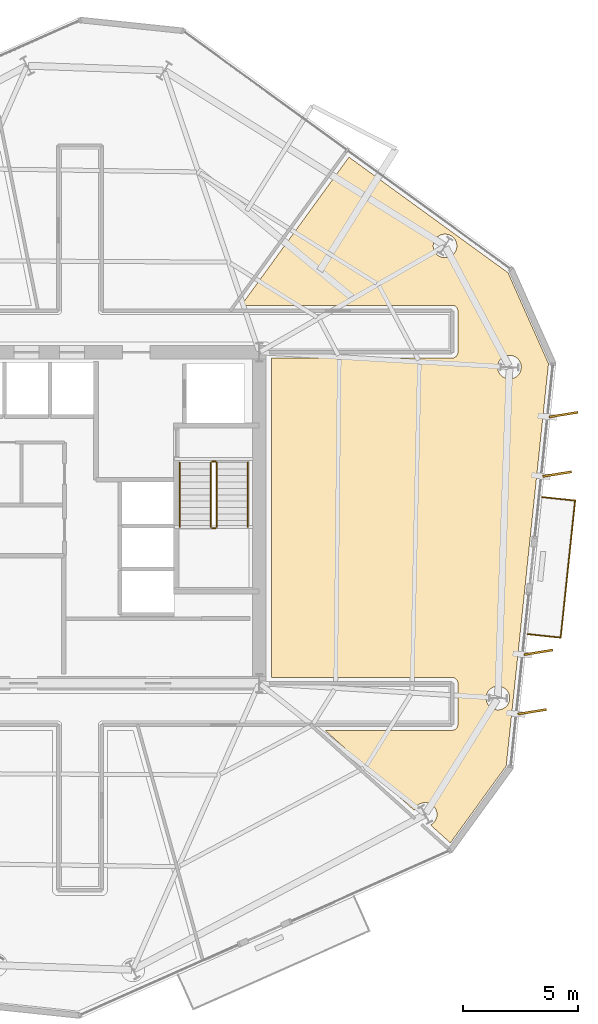
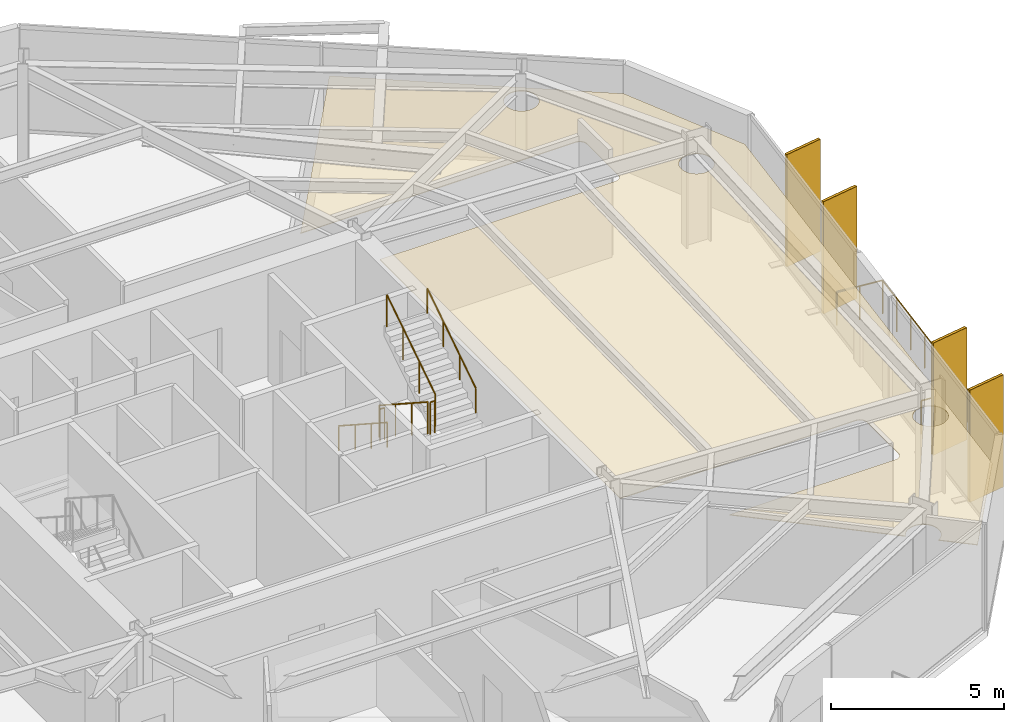
# One storey, part 12 of 13: 7 railings, 5 coverings, 4 shading devices.
"""IFC4 building model written with IfcOpenShell, lengths in metres."""

import ifcopenshell
import ifcopenshell.guid

model = None  # the IFC model being written
_history = None  # IfcOwnerHistory: only IFC2X3 demands one
_inside = {}  # id of a spatial element -> (the spatial element, [elements in it])
_under = {}  # id of a project, library or spatial element -> (it, [spatial elements below it])
_declared = {}  # id of a project -> (the project, [libraries it declares])
_typed = {}  # id of a type object -> (the type object, [elements of that type])
_made_of = {}  # id of a material, layer set ... -> (it, [elements and type objects made of it])


def new_model(schema):
    """Start an empty IFC model of exactly this schema.

    Asked for "IFC4X3", IfcOpenShell would pick the latest addendum, in which some entities
    have other attributes; the version numbers below select the first issue.
    IFC2X3 requires an IfcOwnerHistory on every rooted entity: one is made here for all.
    """
    global model, _history
    if schema == "IFC4X3":
        model = ifcopenshell.file(schema_version=(4, 3, 0, 0))
    else:
        model = ifcopenshell.file(schema=schema)
    _inside.clear()
    _under.clear()
    _declared.clear()
    _typed.clear()
    _made_of.clear()
    _history = None
    if model.schema == "IFC2X3":
        org = make("IfcOrganization", Name="unknown")
        user = make(
            "IfcPersonAndOrganization",
            ThePerson=make("IfcPerson", FamilyName="unknown"),
            TheOrganization=org,
        )
        app = make(
            "IfcApplication",
            ApplicationDeveloper=org,
            Version="unknown",
            ApplicationFullName="unknown",
            ApplicationIdentifier="unknown",
        )
        _history = make(
            "IfcOwnerHistory",
            OwningUser=user,
            OwningApplication=app,
            ChangeAction="ADDED",
            CreationDate=0,
        )
    return model


def make(cls, **values):
    """One entity of the class cls with the attributes given. An attribute that is None is left unset."""
    return model.create_entity(
        cls, **{name: value for name, value in values.items() if value is not None}
    )


def rooted(cls, **values):
    """An entity with a GlobalId (a new one), such as an element, a storey or a relation."""
    return make(cls, GlobalId=ifcopenshell.guid.new(), OwnerHistory=_history, **values)


def si_unit(unit_type, name, prefix=None):
    """IfcSIUnit, for example si_unit("LENGTHUNIT", "METRE", prefix="MILLI")."""
    return make("IfcSIUnit", UnitType=unit_type, Prefix=prefix, Name=name)


def assignment(units):
    """IfcUnitAssignment: the units of a project."""
    return None if units is None else make("IfcUnitAssignment", Units=units)


def point(xyz):
    """IfcCartesianPoint."""
    return None if xyz is None else make("IfcCartesianPoint", Coordinates=xyz)


def direction(xyz):
    """IfcDirection."""
    return None if xyz is None else make("IfcDirection", DirectionRatios=xyz)


def frame(location, z_axis=None, x_axis=None):
    """IfcAxis2Placement3D, a coordinate frame: its origin and axes. An axis left out is left unset."""
    return make(
        "IfcAxis2Placement3D",
        Location=point(location),
        Axis=direction(z_axis),
        RefDirection=direction(x_axis),
    )


def frame_2d(location, x_axis=None):
    """IfcAxis2Placement2D, a coordinate frame in the plane: its origin and x axis."""
    return make(
        "IfcAxis2Placement2D", Location=point(location), RefDirection=direction(x_axis)
    )


def origin():
    """The frame at (0, 0, 0) with its axes left unset."""
    return frame((0.0, 0.0, 0.0))


def origin_2d():
    """The frame at (0, 0) in the plane with its x axis left unset."""
    return frame_2d((0.0, 0.0))


def place(relative_to, where):
    """IfcLocalPlacement: puts the frame where relative to a parent placement (None: the world)."""
    return make(
        "IfcLocalPlacement", PlacementRelTo=relative_to, RelativePlacement=where
    )


def context(
    kind, dimensions, precision=None, world=None, true_north=None, identifier=None
):
    """IfcGeometricRepresentationContext, for example the 3D "Model" context."""
    return make(
        "IfcGeometricRepresentationContext",
        ContextIdentifier=identifier,
        ContextType=kind,
        CoordinateSpaceDimension=dimensions,
        Precision=precision,
        WorldCoordinateSystem=world,
        TrueNorth=true_north,
    )


def subcontext(parent, identifier, kind, view, scale=None):
    """IfcGeometricRepresentationSubContext, for example "Body" below "Model"."""
    return make(
        "IfcGeometricRepresentationSubContext",
        ContextIdentifier=identifier,
        ContextType=kind,
        ParentContext=parent,
        TargetScale=scale,
        TargetView=view,
    )


def project(units=None, contexts=None):
    """IfcProject with its units and contexts."""
    return rooted(
        "IfcProject",
        Name="project",
        RepresentationContexts=contexts,
        UnitsInContext=assignment(units),
    )


def spatial(cls, under=None, at=None, **own):
    """A site, building, storey or space (cls), placed at a placement, below another one or the project."""
    s = rooted(cls, ObjectPlacement=at, **own)
    if under is not None:
        _under.setdefault(under.id(), (under, []))[1].append(s)
    return s


def polyline(points):
    """IfcPolyline through the points."""
    return make("IfcPolyline", Points=[point(p) for p in points])


def profile(cls, at=None, kind="AREA", **sizes):
    """A parametric profile (cls). Its sizes go by their IFC names, for example OverallWidth=200.0."""
    return make(cls, ProfileType=kind, Position=at, **sizes)


def rectangle(**sizes):
    """IfcRectangleProfileDef."""
    return profile("IfcRectangleProfileDef", **sizes)


def circle(**sizes):
    """IfcCircleProfileDef."""
    return profile("IfcCircleProfileDef", **sizes)


def outline(outer, holes=None, kind="AREA"):
    """IfcArbitraryClosedProfileDef: a profile drawn as a closed curve; with holes, ...WithVoids."""
    if holes is None:
        return make("IfcArbitraryClosedProfileDef", ProfileType=kind, OuterCurve=outer)
    return make(
        "IfcArbitraryProfileDefWithVoids",
        ProfileType=kind,
        OuterCurve=outer,
        InnerCurves=holes,
    )


def extrude(swept, where, along, depth):
    """IfcExtrudedAreaSolid: the profile swept, set in the frame where, extruded along a direction by depth."""
    return make(
        "IfcExtrudedAreaSolid",
        SweptArea=swept,
        Position=where,
        ExtrudedDirection=direction(along),
        Depth=depth,
    )


def shape(context_of_items, identifier, shape_type, items):
    """IfcShapeRepresentation: the items that make up one representation, for example the "Body"."""
    return make(
        "IfcShapeRepresentation",
        ContextOfItems=context_of_items,
        RepresentationIdentifier=identifier,
        RepresentationType=shape_type,
        Items=items,
    )


def material(Name=None, Category=None):
    """IfcMaterial."""
    return make("IfcMaterial", Name=Name, Category=Category)


def layer(
    of_material, thickness, ventilated=None, Name=None, Category=None, Priority=None
):
    """IfcMaterialLayer: one layer of a wall or slab, of a material (None: an air gap)."""
    return make(
        "IfcMaterialLayer",
        Material=of_material,
        LayerThickness=thickness,
        IsVentilated=ventilated,
        Name=Name,
        Category=Category,
        Priority=Priority,
    )


def layer_set(layers, Name=None):
    """IfcMaterialLayerSet."""
    return make("IfcMaterialLayerSet", MaterialLayers=layers, LayerSetName=Name)


def made_of(thing, what):
    """Note that an element or type object is made of a material, layer set ...; save() writes the relation."""
    if what is not None:
        _made_of.setdefault(what.id(), (what, []))[1].append(thing)
    return thing


def type_object(cls, material=None, **own):
    """A type object (cls), such as IfcWallType, which elements share."""
    return made_of(rooted(cls, **own), material)


def element(
    cls,
    number,
    at=None,
    inside=None,
    cuts=None,
    type_object=None,
    material=None,
    context=None,
    identifier="Body",
    shape_type=None,
    held_by="IfcProductDefinitionShape",
    body=None,
    shapes=None,
    **own,
):
    """One element of the class cls, such as IfcWall. Its Tag is "e" and its number.

    at: its placement. inside: the storey or other place that contains it. cuts: it is an
    opening in that element (IfcRelVoidsElement). A single representation is given by context,
    identifier, shape_type and body (its items); several are given by shapes. held_by: the class
    of the entity that holds the representations. save() writes the other relations.
    """
    e = rooted(cls, Tag="e%d" % number, ObjectPlacement=at, **own)
    if body is not None:
        shapes = [shape(context, identifier, shape_type, body)]
    if shapes is not None:
        e.Representation = make(held_by, Representations=shapes)
    if inside is not None:
        _inside.setdefault(inside.id(), (inside, []))[1].append(e)
    if cuts is not None:
        rooted(
            "IfcRelVoidsElement", RelatingBuildingElement=cuts, RelatedOpeningElement=e
        )
    if type_object is not None:
        _typed.setdefault(type_object.id(), (type_object, []))[1].append(e)
    return made_of(e, material)


def aggregate(whole, parts):
    """IfcRelAggregates: a whole, such as a stair, and the parts it consists of."""
    return rooted("IfcRelAggregates", RelatingObject=whole, RelatedObjects=parts)


def save(model, path):
    """Write the relations noted so far, then the file.

    IfcRelAggregates (storeys below a building ...), IfcRelContainedInSpatialStructure (elements
    in a storey), IfcRelDefinesByType, IfcRelAssociatesMaterial and IfcRelDeclares: one each for
    every whole, place, type object, material and project.
    """
    for whole, parts in _under.values():
        aggregate(whole, parts)
    for where, things in _inside.values():
        rooted(
            "IfcRelContainedInSpatialStructure",
            RelatedElements=things,
            RelatingStructure=where,
        )
    for kind, things in _typed.values():
        rooted("IfcRelDefinesByType", RelatedObjects=things, RelatingType=kind)
    for what, things in _made_of.values():
        rooted("IfcRelAssociatesMaterial", RelatedObjects=things, RelatingMaterial=what)
    for by, libraries in _declared.values():
        rooted("IfcRelDeclares", RelatingContext=by, RelatedDefinitions=libraries)
    model.write(path)


model = new_model("IFC4")

# Units and contexts
model_context = context("Model", 3, precision=1e-05, world=origin(), true_north=direction((0.0, 1.0)))
body_context = subcontext(model_context, "Body", "Model", "MODEL_VIEW")
ifc_project = project(units=[si_unit("LENGTHUNIT", "METRE"), si_unit("AREAUNIT", "SQUARE_METRE"), si_unit("VOLUMEUNIT", "CUBIC_METRE"), si_unit("PLANEANGLEUNIT", "RADIAN"), si_unit("MASSUNIT", "GRAM", prefix="KILO")], contexts=[model_context])

# Site, building, storey
site_placement = place(None, origin())
site = spatial("IfcSite", under=ifc_project, at=site_placement, CompositionType="ELEMENT")
building_placement = place(site_placement, origin())
building = spatial("IfcBuilding", under=site, at=building_placement, Name="Kranzbogen Civic Tower", CompositionType="ELEMENT")
storey_placement = place(building_placement, frame((0.0, 0.0, 118.39990234375)))
storey = spatial("IfcBuildingStorey", under=building, at=storey_placement, Name="L28", CompositionType="ELEMENT", Elevation=118.39990234375)

# Coverings
ifc_material_1 = material(Name="Pale Anodised Aluminium", Category="aluminium")
ifc_layer_1 = layer(ifc_material_1, 0.02490234375, Name="Pale Anodised Aluminium")
ifc_layer_set_1 = layer_set([ifc_layer_1], Name="Pale Anodised Aluminium")
covering_type_1 = type_object("IfcCoveringType", Name="Anodised Aluminium Vertical Fin Cladding 25 mm", PredefinedType="CLADDING", material=ifc_layer_set_1)
for number, where, z_axis, x_axis, name in (
    (1, (44.678955078125, 16.55908203125, -0.139892578125), (0.0, 0.0, 1.0), (0.987350238478, 0.158554427807, 0.0), "L28 vertical fin pale-metal cladding F6-1"),
    (2, (44.950927734375, 19.14501953125, -0.139892578125), (0.0, 0.0, 1.0), (0.987350238478, 0.158554427807, 0.0), "L28 vertical fin pale-metal cladding F6-2"),
    (3, (45.76611328125, 26.902099609375, -0.139892578125), (0.0, 0.0, 1.0), (0.987350238478, 0.158554427807, 0.0), "L28 vertical fin pale-metal cladding F6-5"),
    (4, (46.0380859375, 29.488037109375, -0.139892578125), (0.0, 0.0, 1.0), (0.987350238478, 0.158554427807, 0.0), "L28 vertical fin pale-metal cladding F6-6"),
):
    element("IfcCovering", number, at=place(storey_placement, frame(where, z_axis=z_axis, x_axis=x_axis)), inside=storey, type_object=covering_type_1, Name=name, PredefinedType="CLADDING", context=body_context, shape_type="SweptSolid", body=[
        extrude(rectangle(XDim=1.25, YDim=0.10009765625, at=origin_2d()), origin(), (0.0, 0.0, 1.0), 3.9599609375),
    ])

# Shading devices
ifc_material_2 = material(Name="Anodised Bronze Aluminium", Category="aluminium")
shading_device_type = type_object("IfcShadingDeviceType", Name="Anodised Bronze Vertical Facade Fin 1250x80", PredefinedType="USERDEFINED", material=ifc_material_2)
for number, where, z_axis, x_axis, name in (
    (5, (44.678955078125, 16.55908203125, -0.139892578125), (0.0, 0.0, 1.0), (0.987350238478, 0.158554427807, 0.0), "L28 vertical exterior shading fin F6-1"),
    (6, (44.950927734375, 19.14501953125, -0.139892578125), (0.0, 0.0, 1.0), (0.987350238478, 0.158554427807, 0.0), "L28 vertical exterior shading fin F6-2"),
    (7, (45.76611328125, 26.902099609375, -0.139892578125), (0.0, 0.0, 1.0), (0.987350238478, 0.158554427807, 0.0), "L28 vertical exterior shading fin F6-5"),
    (8, (46.0380859375, 29.488037109375, -0.139892578125), (0.0, 0.0, 1.0), (0.987350238478, 0.158554427807, 0.0), "L28 vertical exterior shading fin F6-6"),
):
    element("IfcShadingDevice", number, at=place(storey_placement, frame(where, z_axis=z_axis, x_axis=x_axis)), inside=storey, type_object=shading_device_type, Name=name, ObjectType="FIN", PredefinedType="USERDEFINED", context=body_context, shape_type="SweptSolid", body=[
        extrude(rectangle(XDim=1.25, YDim=0.080078125, at=origin_2d()), origin(), (0.0, 0.0, 1.0), 3.9599609375),
    ])

# Railings
railing_type_1 = type_object("IfcRailingType", Name="Cantilevered Balcony Glass and Bronze Balustrade 1200", PredefinedType="BALUSTRADE", material=ifc_material_2)
railing_1_placement = place(storey_placement, frame((44.47705078125, 19.93603515625, 0.0)))
element("IfcRailing", 9, at=railing_1_placement, inside=storey, type_object=railing_type_1, Name="L28 exterior terrace balustrade L28-TB1", PredefinedType="BALUSTRADE", context=body_context, shape_type="SweptSolid", body=[
    extrude(circle(Radius=0.02392578125, at=origin_2d()), frame((0.0, 0.0, 1.17578125), z_axis=(0.994482362328, -0.104903913263, 0.0), x_axis=(0.104903913263, 0.994482362328, 0.0)), (0.0, 0.0, 1.0), 1.449951171875),
    extrude(circle(Radius=0.02392578125, at=origin_2d()), frame((1.44189453125, -0.152099609375, 1.17578125), z_axis=(0.104695375061, 0.99450433807, 0.0), x_axis=(-0.99450433807, 0.104695375061, 0.0)), (0.0, 0.0, 1.0), 6.0),
    extrude(circle(Radius=0.02392578125, at=origin_2d()), frame((2.070068359375, 5.81494140625, 1.17578125), z_axis=(-0.994484214912, 0.104886349397, 0.0), x_axis=(-0.104886349397, -0.994484214912, 0.0)), (0.0, 0.0, 1.0), 1.4501953125),
    extrude(circle(Radius=0.02099609375, at=origin_2d()), origin(), (0.0, 0.0, 1.0), 1.15185546875),
    extrude(circle(Radius=0.02099609375, at=origin_2d()), frame((0.720947265625, -0.076171875, 0.0)), (0.0, 0.0, 1.0), 1.15185546875),
    extrude(circle(Radius=0.02099609375, at=origin_2d()), frame((1.44189453125, -0.152099609375, 0.0)), (0.0, 0.0, 1.0), 1.15185546875),
    extrude(circle(Radius=0.02099609375, at=origin_2d()), frame((1.546630859375, 0.84228515625, 0.0)), (0.0, 0.0, 1.0), 1.15185546875),
    extrude(circle(Radius=0.02099609375, at=origin_2d()), frame((1.6513671875, 1.8369140625, 0.0)), (0.0, 0.0, 1.0), 1.15185546875),
    extrude(circle(Radius=0.02099609375, at=origin_2d()), frame((1.755859375, 2.83154296875, 0.0)), (0.0, 0.0, 1.0), 1.15185546875),
    extrude(circle(Radius=0.02099609375, at=origin_2d()), frame((1.860595703125, 3.825927734375, 0.0)), (0.0, 0.0, 1.0), 1.15185546875),
    extrude(circle(Radius=0.02099609375, at=origin_2d()), frame((1.96533203125, 4.8203125, 0.0)), (0.0, 0.0, 1.0), 1.15185546875),
    extrude(circle(Radius=0.02099609375, at=origin_2d()), frame((2.070068359375, 5.81494140625, 0.0)), (0.0, 0.0, 1.0), 1.15185546875),
    extrude(circle(Radius=0.02099609375, at=origin_2d()), frame((1.34912109375, 5.89111328125, 0.0)), (0.0, 0.0, 1.0), 1.15185546875),
    extrude(circle(Radius=0.02099609375, at=origin_2d()), frame((0.6279296875, 5.967041015625, 0.0)), (0.0, 0.0, 1.0), 1.15185546875),
])
ifc_material_3 = material(Name="Steel S355", Category="steel")
railing_type_2 = type_object("IfcRailingType", Name="Internal Stair and Void Steel Guardrail 1150", PredefinedType="GUARDRAIL", material=ifc_material_3)
railing_2_placement = place(storey_placement, frame((30.699951171875, 27.39990234375, 0.181884765625)))
element("IfcRailing", 10, at=railing_2_placement, inside=storey, type_object=railing_type_2, Name="L28 ST-T2 stair guard 1", PredefinedType="GUARDRAIL", context=body_context, shape_type="SweptSolid", body=[
    extrude(circle(Radius=0.02392578125, at=origin_2d()), frame((0.0, 0.0, 1.1259765625), z_axis=(0.0, -0.83868413941, 0.544618136222), x_axis=(1.0, 0.0, 0.0)), (0.0, 0.0, 1.0), 3.33837890625),
    extrude(circle(Radius=0.02099609375, at=origin_2d()), origin(), (0.0, 0.0, 1.0), 1.101806640625),
    extrude(circle(Radius=0.02099609375, at=origin_2d()), frame((0.0, -0.933349609375, 0.60595703125)), (0.0, 0.0, 1.0), 1.101806640625),
    extrude(circle(Radius=0.02099609375, at=origin_2d()), frame((0.0, -1.866455078125, 1.212158203125)), (0.0, 0.0, 1.0), 1.101806640625),
    extrude(circle(Radius=0.02099609375, at=origin_2d()), frame((0.0, -2.7998046875, 1.818115234375)), (0.0, 0.0, 1.0), 1.101806640625),
])
railing_3_placement = place(storey_placement, frame((30.75, 24.550048828125, 2.0)))
element("IfcRailing", 11, at=railing_3_placement, inside=storey, type_object=railing_type_2, Name="L28 ST-T2 stair guard 2", PredefinedType="GUARDRAIL", context=body_context, shape_type="SweptSolid", body=[
    extrude(circle(Radius=0.02392578125, at=origin_2d()), frame((0.0, 0.0, 1.1259765625), z_axis=(1.0, 0.0, 0.0), x_axis=(0.0, 1.0, 0.0)), (0.0, 0.0, 1.0), 0.14990234375),
    extrude(circle(Radius=0.02099609375, at=origin_2d()), origin(), (0.0, 0.0, 1.0), 1.101806640625),
    extrude(circle(Radius=0.02099609375, at=origin_2d()), frame((0.14990234375, 0.0, 0.0)), (0.0, 0.0, 1.0), 1.101806640625),
])
railing_4_placement = place(storey_placement, frame((30.949951171875, 24.60009765625, 2.181884765625)))
element("IfcRailing", 12, at=railing_4_placement, inside=storey, type_object=railing_type_2, Name="L28 ST-T2 stair guard 3", PredefinedType="GUARDRAIL", context=body_context, shape_type="SweptSolid", body=[
    extrude(circle(Radius=0.02392578125, at=origin_2d()), frame((0.0, 0.0, 1.1259765625), z_axis=(0.0, 0.83868413941, 0.544618136222), x_axis=(-1.0, 0.0, 0.0)), (0.0, 0.0, 1.0), 3.33837890625),
    extrude(circle(Radius=0.02099609375, at=origin_2d()), origin(), (0.0, 0.0, 1.0), 1.101806640625),
    extrude(circle(Radius=0.02099609375, at=origin_2d()), frame((0.0, 0.933349609375, 0.60595703125)), (0.0, 0.0, 1.0), 1.101806640625),
    extrude(circle(Radius=0.02099609375, at=origin_2d()), frame((0.0, 1.866455078125, 1.212158203125)), (0.0, 0.0, 1.0), 1.101806640625),
    extrude(circle(Radius=0.02099609375, at=origin_2d()), frame((0.0, 2.7998046875, 1.818115234375)), (0.0, 0.0, 1.0), 1.101806640625),
])
railing_5_placement = place(storey_placement, frame((30.75, 27.449951171875, 0.0)))
element("IfcRailing", 13, at=railing_5_placement, inside=storey, type_object=railing_type_2, Name="L28 ST-T2 stair guard 4", PredefinedType="GUARDRAIL", context=body_context, shape_type="SweptSolid", body=[
    extrude(circle(Radius=0.02392578125, at=origin_2d()), frame((0.0, 0.0, 1.1259765625), z_axis=(1.0, 0.0, 0.0), x_axis=(0.0, 1.0, 0.0)), (0.0, 0.0, 1.0), 0.14990234375),
    extrude(circle(Radius=0.02099609375, at=origin_2d()), origin(), (0.0, 0.0, 1.0), 1.101806640625),
    extrude(circle(Radius=0.02099609375, at=origin_2d()), frame((0.14990234375, 0.0, 0.0)), (0.0, 0.0, 1.0), 1.101806640625),
])

# Covering
ifc_material_4 = material(Name="Perforated Acoustic Gypsum Ceiling")
ifc_layer_2 = layer(ifc_material_4, 0.02490234375, Name="Perforated Acoustic Gypsum Ceiling")
ifc_layer_set_2 = layer_set([ifc_layer_2], Name="Perforated Acoustic Gypsum Ceiling")
covering_type_2 = type_object("IfcCoveringType", Name="Perforated Acoustic Mineral Ceiling Tile 25 mm", PredefinedType="CEILING", material=ifc_layer_set_2)
covering_placement = place(storey_placement, frame((0.0, 0.0, 2.75)))
element("IfcCovering", 14, at=covering_placement, inside=storey, type_object=covering_type_2, Name="L28 Staff Tea Pantry acoustic ceiling", PredefinedType="CEILING", context=body_context, shape_type="SweptSolid", body=[
    extrude(outline(polyline([(41.118896484375, 10.85498046875), (40.2529296875, 11.632080078125), (40.264892578125, 11.637939453125), (40.30908203125, 11.6640625), (40.34912109375, 11.694091796875), (40.386962890625, 11.72802734375), (40.4208984375, 11.76611328125), (40.450927734375, 11.805908203125), (40.47705078125, 11.85009765625), (40.498046875, 11.89501953125), (40.514892578125, 11.943115234375), (40.527099609375, 11.991943359375), (40.534912109375, 12.0419921875), (40.537109375, 12.092041015625), (40.534912109375, 12.14208984375), (40.527099609375, 12.19189453125), (40.514892578125, 12.240966796875), (40.498046875, 12.2890625), (40.47705078125, 12.333984375), (40.450927734375, 12.3779296875), (40.4208984375, 12.41796875), (40.386962890625, 12.4560546875), (40.34912109375, 12.489990234375), (40.30908203125, 12.52001953125), (40.264892578125, 12.5458984375), (40.219970703125, 12.56689453125), (40.172119140625, 12.583984375), (40.123046875, 12.595947265625), (40.072998046875, 12.60400390625), (40.02294921875, 12.60595703125), (39.972900390625, 12.60400390625), (39.923095703125, 12.595947265625), (39.8740234375, 12.583984375), (39.825927734375, 12.56689453125), (39.781005859375, 12.5458984375), (39.737060546875, 12.52001953125), (39.697021484375, 12.489990234375), (39.658935546875, 12.4560546875), (39.625, 12.41796875), (39.594970703125, 12.3779296875), (39.569091796875, 12.333984375), (39.548095703125, 12.2890625), (39.541015625, 12.27099609375), (35.662109375, 15.7548828125), (41.199951171875, 15.7548828125), (41.208984375, 15.7548828125), (41.215087890625, 15.756103515625), (41.23291015625, 15.757080078125), (41.239013671875, 15.758056640625), (41.256103515625, 15.761962890625), (41.262939453125, 15.762939453125), (41.280029296875, 15.76806640625), (41.285888671875, 15.77001953125), (41.302001953125, 15.777099609375), (41.30810546875, 15.780029296875), (41.322998046875, 15.7880859375), (41.3291015625, 15.7919921875), (41.343017578125, 15.801025390625), (41.347900390625, 15.804931640625), (41.362060546875, 15.81591796875), (41.366943359375, 15.821044921875), (41.37890625, 15.8330078125), (41.384033203125, 15.837890625), (41.39501953125, 15.85205078125), (41.39892578125, 15.85693359375), (41.407958984375, 15.87109375), (41.412109375, 15.876953125), (41.419921875, 15.89208984375), (41.423095703125, 15.89794921875), (41.429931640625, 15.9140625), (41.431884765625, 15.919921875), (41.43701171875, 15.93701171875), (41.43798828125, 15.944091796875), (41.44189453125, 15.9609375), (41.443115234375, 15.967041015625), (41.444091796875, 15.985107421875), (41.445068359375, 15.990966796875), (41.445068359375, 16.0), (41.445068359375, 17.800048828125), (41.445068359375, 17.80908203125), (41.444091796875, 17.81494140625), (41.443115234375, 17.8330078125), (41.44189453125, 17.839111328125), (41.43798828125, 17.85595703125), (41.43701171875, 17.863037109375), (41.431884765625, 17.8798828125), (41.429931640625, 17.885986328125), (41.423095703125, 17.902099609375), (41.419921875, 17.907958984375), (41.412109375, 17.923095703125), (41.407958984375, 17.928955078125), (41.39892578125, 17.943115234375), (41.39501953125, 17.947998046875), (41.384033203125, 17.9619140625), (41.37890625, 17.967041015625), (41.366943359375, 17.97900390625), (41.362060546875, 17.98388671875), (41.347900390625, 17.9951171875), (41.343017578125, 17.9990234375), (41.3291015625, 18.008056640625), (41.322998046875, 18.011962890625), (41.30810546875, 18.02001953125), (41.302001953125, 18.02294921875), (41.285888671875, 18.030029296875), (41.280029296875, 18.031982421875), (41.262939453125, 18.037109375), (41.256103515625, 18.0380859375), (41.239013671875, 18.0419921875), (41.23291015625, 18.04296875), (41.215087890625, 18.0439453125), (41.208984375, 18.044921875), (41.199951171875, 18.044921875), (33.344970703125, 18.044921875), (33.344970703125, 31.955078125), (41.199951171875, 31.955078125), (41.208984375, 31.955078125), (41.215087890625, 31.9560546875), (41.23291015625, 31.95703125), (41.239013671875, 31.9580078125), (41.256103515625, 31.9619140625), (41.262939453125, 31.962890625), (41.280029296875, 31.968017578125), (41.285888671875, 31.969970703125), (41.302001953125, 31.97705078125), (41.30810546875, 31.97998046875), (41.322998046875, 31.988037109375), (41.3291015625, 31.991943359375), (41.343017578125, 32.0009765625), (41.347900390625, 32.0048828125), (41.362060546875, 32.01611328125), (41.366943359375, 32.02099609375), (41.37890625, 32.032958984375), (41.384033203125, 32.0380859375), (41.39501953125, 32.052001953125), (41.39892578125, 32.056884765625), (41.407958984375, 32.071044921875), (41.412109375, 32.076904296875), (41.419921875, 32.092041015625), (41.423095703125, 32.097900390625), (41.429931640625, 32.114013671875), (41.431884765625, 32.1201171875), (41.43701171875, 32.136962890625), (41.43798828125, 32.14404296875), (41.44189453125, 32.160888671875), (41.443115234375, 32.1669921875), (41.444091796875, 32.18505859375), (41.445068359375, 32.19091796875), (41.445068359375, 32.199951171875), (41.445068359375, 34.0), (41.445068359375, 34.009033203125), (41.444091796875, 34.014892578125), (41.443115234375, 34.032958984375), (41.44189453125, 34.0390625), (41.43798828125, 34.055908203125), (41.43701171875, 34.06298828125), (41.431884765625, 34.080078125), (41.429931640625, 34.0859375), (41.423095703125, 34.10205078125), (41.419921875, 34.10791015625), (41.412109375, 34.123046875), (41.407958984375, 34.12890625), (41.39892578125, 34.14306640625), (41.39501953125, 34.14794921875), (41.384033203125, 34.162109375), (41.37890625, 34.1669921875), (41.366943359375, 34.178955078125), (41.362060546875, 34.18408203125), (41.347900390625, 34.195068359375), (41.343017578125, 34.198974609375), (41.3291015625, 34.2080078125), (41.322998046875, 34.2119140625), (41.30810546875, 34.219970703125), (41.302001953125, 34.222900390625), (41.285888671875, 34.22998046875), (41.280029296875, 34.23193359375), (41.262939453125, 34.237060546875), (41.256103515625, 34.238037109375), (41.239013671875, 34.241943359375), (41.23291015625, 34.242919921875), (41.215087890625, 34.243896484375), (41.208984375, 34.2451171875), (41.199951171875, 34.2451171875), (32.02001953125, 34.2451171875), (36.7041015625, 40.693115234375), (43.62890625, 35.660888671875), (45.387939453125, 31.708984375), (43.548095703125, 14.197998046875), (41.118896484375, 10.85498046875)]), holes=[polyline([(43.662109375, 16.958984375), (43.64111328125, 16.9140625), (43.614990234375, 16.8701171875), (43.5849609375, 16.830078125), (43.551025390625, 16.7919921875), (43.512939453125, 16.758056640625), (43.472900390625, 16.72802734375), (43.428955078125, 16.701904296875), (43.384033203125, 16.680908203125), (43.3359375, 16.6640625), (43.287109375, 16.652099609375), (43.237060546875, 16.64404296875), (43.18701171875, 16.64208984375), (43.136962890625, 16.64404296875), (43.0869140625, 16.652099609375), (43.0380859375, 16.6640625), (42.989990234375, 16.680908203125), (42.945068359375, 16.701904296875), (42.90087890625, 16.72802734375), (42.861083984375, 16.758056640625), (42.822998046875, 16.7919921875), (42.7890625, 16.830078125), (42.759033203125, 16.8701171875), (42.73291015625, 16.9140625), (42.7119140625, 16.958984375), (42.695068359375, 17.007080078125), (42.68310546875, 17.055908203125), (42.675048828125, 17.10595703125), (42.673095703125, 17.156005859375), (42.675048828125, 17.2060546875), (42.68310546875, 17.256103515625), (42.695068359375, 17.304931640625), (42.7119140625, 17.35302734375), (42.73291015625, 17.39794921875), (42.759033203125, 17.44189453125), (42.7890625, 17.48193359375), (42.822998046875, 17.52001953125), (42.861083984375, 17.553955078125), (42.90087890625, 17.583984375), (42.945068359375, 17.610107421875), (42.989990234375, 17.631103515625), (43.0380859375, 17.64794921875), (43.0869140625, 17.659912109375), (43.136962890625, 17.66796875), (43.18701171875, 17.669921875), (43.237060546875, 17.66796875), (43.287109375, 17.659912109375), (43.3359375, 17.64794921875), (43.384033203125, 17.631103515625), (43.428955078125, 17.610107421875), (43.472900390625, 17.583984375), (43.512939453125, 17.553955078125), (43.551025390625, 17.52001953125), (43.5849609375, 17.48193359375), (43.614990234375, 17.44189453125), (43.64111328125, 17.39794921875), (43.662109375, 17.35302734375), (43.678955078125, 17.304931640625), (43.69091796875, 17.256103515625), (43.698974609375, 17.2060546875), (43.700927734375, 17.156005859375), (43.698974609375, 17.10595703125), (43.69091796875, 17.055908203125), (43.678955078125, 17.007080078125), (43.662109375, 16.958984375)]), polyline([(44.1650390625, 31.35888671875), (44.14404296875, 31.31396484375), (44.117919921875, 31.27001953125), (44.087890625, 31.22998046875), (44.053955078125, 31.19189453125), (44.01611328125, 31.157958984375), (43.97607421875, 31.1279296875), (43.931884765625, 31.10205078125), (43.886962890625, 31.0810546875), (43.839111328125, 31.06396484375), (43.7900390625, 31.052001953125), (43.739990234375, 31.0439453125), (43.68994140625, 31.0419921875), (43.639892578125, 31.0439453125), (43.590087890625, 31.052001953125), (43.541015625, 31.06396484375), (43.492919921875, 31.0810546875), (43.447998046875, 31.10205078125), (43.404052734375, 31.1279296875), (43.364013671875, 31.157958984375), (43.325927734375, 31.19189453125), (43.2919921875, 31.22998046875), (43.261962890625, 31.27001953125), (43.236083984375, 31.31396484375), (43.215087890625, 31.35888671875), (43.197998046875, 31.406982421875), (43.18603515625, 31.4560546875), (43.177978515625, 31.506103515625), (43.176025390625, 31.555908203125), (43.177978515625, 31.60595703125), (43.18603515625, 31.656005859375), (43.197998046875, 31.705078125), (43.215087890625, 31.7529296875), (43.236083984375, 31.798095703125), (43.261962890625, 31.842041015625), (43.2919921875, 31.882080078125), (43.325927734375, 31.919921875), (43.364013671875, 31.9541015625), (43.404052734375, 31.98388671875), (43.447998046875, 32.010009765625), (43.492919921875, 32.031005859375), (43.541015625, 32.048095703125), (43.590087890625, 32.06005859375), (43.639892578125, 32.068115234375), (43.68994140625, 32.070068359375), (43.739990234375, 32.068115234375), (43.7900390625, 32.06005859375), (43.839111328125, 32.048095703125), (43.886962890625, 32.031005859375), (43.931884765625, 32.010009765625), (43.97607421875, 31.98388671875), (44.01611328125, 31.9541015625), (44.053955078125, 31.919921875), (44.087890625, 31.882080078125), (44.117919921875, 31.842041015625), (44.14404296875, 31.798095703125), (44.1650390625, 31.7529296875), (44.181884765625, 31.705078125), (44.194091796875, 31.656005859375), (44.201904296875, 31.60595703125), (44.2041015625, 31.555908203125), (44.201904296875, 31.506103515625), (44.194091796875, 31.4560546875), (44.181884765625, 31.406982421875), (44.1650390625, 31.35888671875)]), polyline([(41.361083984375, 36.632080078125), (41.340087890625, 36.5869140625), (41.31396484375, 36.54296875), (41.283935546875, 36.5029296875), (41.25, 36.465087890625), (41.2119140625, 36.430908203125), (41.172119140625, 36.40087890625), (41.1279296875, 36.375), (41.0830078125, 36.35400390625), (41.034912109375, 36.3369140625), (40.986083984375, 36.324951171875), (40.93603515625, 36.31689453125), (40.885986328125, 36.31494140625), (40.8359375, 36.31689453125), (40.785888671875, 36.324951171875), (40.737060546875, 36.3369140625), (40.68896484375, 36.35400390625), (40.64404296875, 36.375), (40.60009765625, 36.40087890625), (40.56005859375, 36.430908203125), (40.52197265625, 36.465087890625), (40.488037109375, 36.5029296875), (40.4580078125, 36.54296875), (40.431884765625, 36.5869140625), (40.410888671875, 36.632080078125), (40.39404296875, 36.679931640625), (40.382080078125, 36.72900390625), (40.3740234375, 36.779052734375), (40.3720703125, 36.8291015625), (40.3740234375, 36.87890625), (40.382080078125, 36.928955078125), (40.39404296875, 36.97802734375), (40.410888671875, 37.02587890625), (40.431884765625, 37.071044921875), (40.4580078125, 37.114990234375), (40.488037109375, 37.155029296875), (40.52197265625, 37.193115234375), (40.56005859375, 37.22705078125), (40.60009765625, 37.257080078125), (40.64404296875, 37.282958984375), (40.68896484375, 37.303955078125), (40.737060546875, 37.321044921875), (40.785888671875, 37.3330078125), (40.8359375, 37.341064453125), (40.885986328125, 37.343017578125), (40.93603515625, 37.341064453125), (40.986083984375, 37.3330078125), (41.034912109375, 37.321044921875), (41.0830078125, 37.303955078125), (41.1279296875, 37.282958984375), (41.172119140625, 37.257080078125), (41.2119140625, 37.22705078125), (41.25, 37.193115234375), (41.283935546875, 37.155029296875), (41.31396484375, 37.114990234375), (41.340087890625, 37.071044921875), (41.361083984375, 37.02587890625), (41.3779296875, 36.97802734375), (41.389892578125, 36.928955078125), (41.39794921875, 36.87890625), (41.39990234375, 36.8291015625), (41.39794921875, 36.779052734375), (41.389892578125, 36.72900390625), (41.3779296875, 36.679931640625), (41.361083984375, 36.632080078125)])]), origin(), (0.0, 0.0, 1.0), 0.025146484375),
])

# Railings
railing_type_3 = type_object("IfcRailingType", Name="Tubular Stainless Stair Wall Handrail 900", PredefinedType="HANDRAIL", material=ifc_material_1)
railing_6_placement = place(storey_placement, frame((29.35009765625, 27.39990234375, 0.181884765625)))
element("IfcRailing", 15, at=railing_6_placement, inside=storey, type_object=railing_type_3, Name="L28 ST-T2 stair handrail 1", PredefinedType="HANDRAIL", context=body_context, shape_type="SweptSolid", body=[
    extrude(circle(Radius=0.02392578125, at=origin_2d()), frame((0.0, 0.0, 0.8759765625), z_axis=(0.0, -0.83868413941, 0.544618136222), x_axis=(1.0, 0.0, 0.0)), (0.0, 0.0, 1.0), 3.33837890625),
    extrude(circle(Radius=0.02099609375, at=origin_2d()), origin(), (0.0, 0.0, 1.0), 0.851806640625),
    extrude(circle(Radius=0.02099609375, at=origin_2d()), frame((0.0, -0.933349609375, 0.60595703125)), (0.0, 0.0, 1.0), 0.851806640625),
    extrude(circle(Radius=0.02099609375, at=origin_2d()), frame((0.0, -1.866455078125, 1.212158203125)), (0.0, 0.0, 1.0), 0.851806640625),
    extrude(circle(Radius=0.02099609375, at=origin_2d()), frame((0.0, -2.7998046875, 1.818115234375)), (0.0, 0.0, 1.0), 0.851806640625),
])
railing_7_placement = place(storey_placement, frame((32.300048828125, 24.60009765625, 2.181884765625)))
element("IfcRailing", 16, at=railing_7_placement, inside=storey, type_object=railing_type_3, Name="L28 ST-T2 stair handrail 2", PredefinedType="HANDRAIL", context=body_context, shape_type="SweptSolid", body=[
    extrude(circle(Radius=0.02392578125, at=origin_2d()), frame((0.0, 0.0, 0.8759765625), z_axis=(0.0, 0.83868413941, 0.544618136222), x_axis=(-1.0, 0.0, 0.0)), (0.0, 0.0, 1.0), 3.33837890625),
    extrude(circle(Radius=0.02099609375, at=origin_2d()), origin(), (0.0, 0.0, 1.0), 0.851806640625),
    extrude(circle(Radius=0.02099609375, at=origin_2d()), frame((0.0, 0.933349609375, 0.60595703125)), (0.0, 0.0, 1.0), 0.851806640625),
    extrude(circle(Radius=0.02099609375, at=origin_2d()), frame((0.0, 1.866455078125, 1.212158203125)), (0.0, 0.0, 1.0), 0.851806640625),
    extrude(circle(Radius=0.02099609375, at=origin_2d()), frame((0.0, 2.7998046875, 1.818115234375)), (0.0, 0.0, 1.0), 0.851806640625),
])

save(model, "model.ifc")
